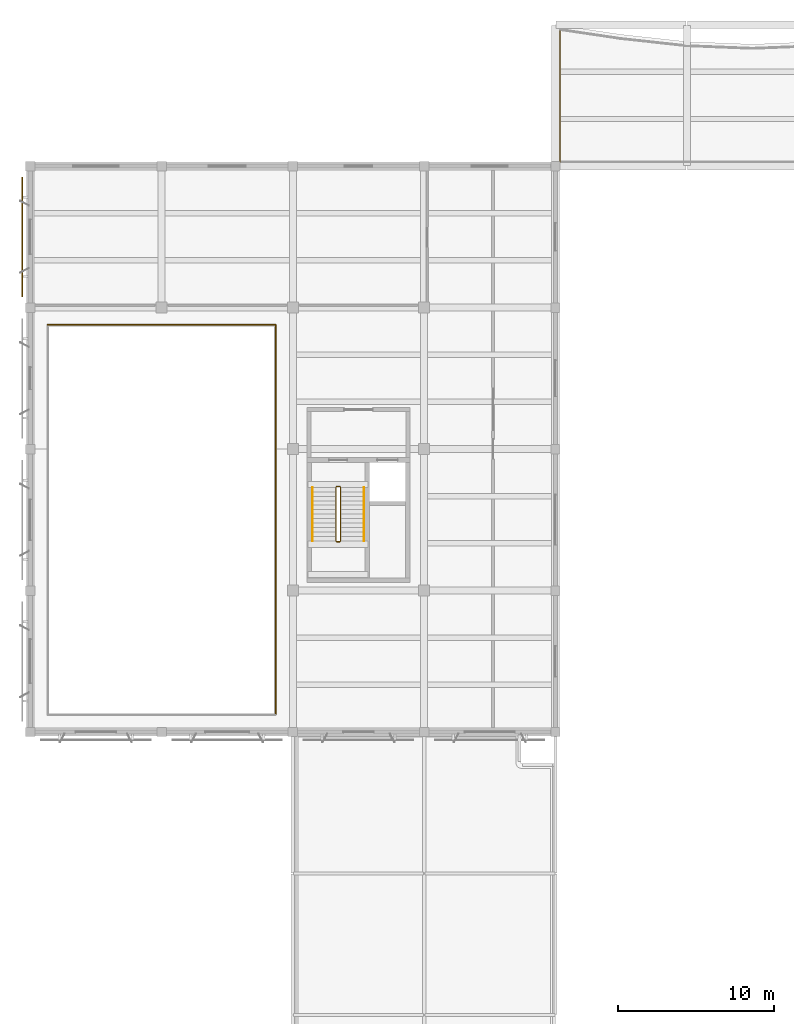
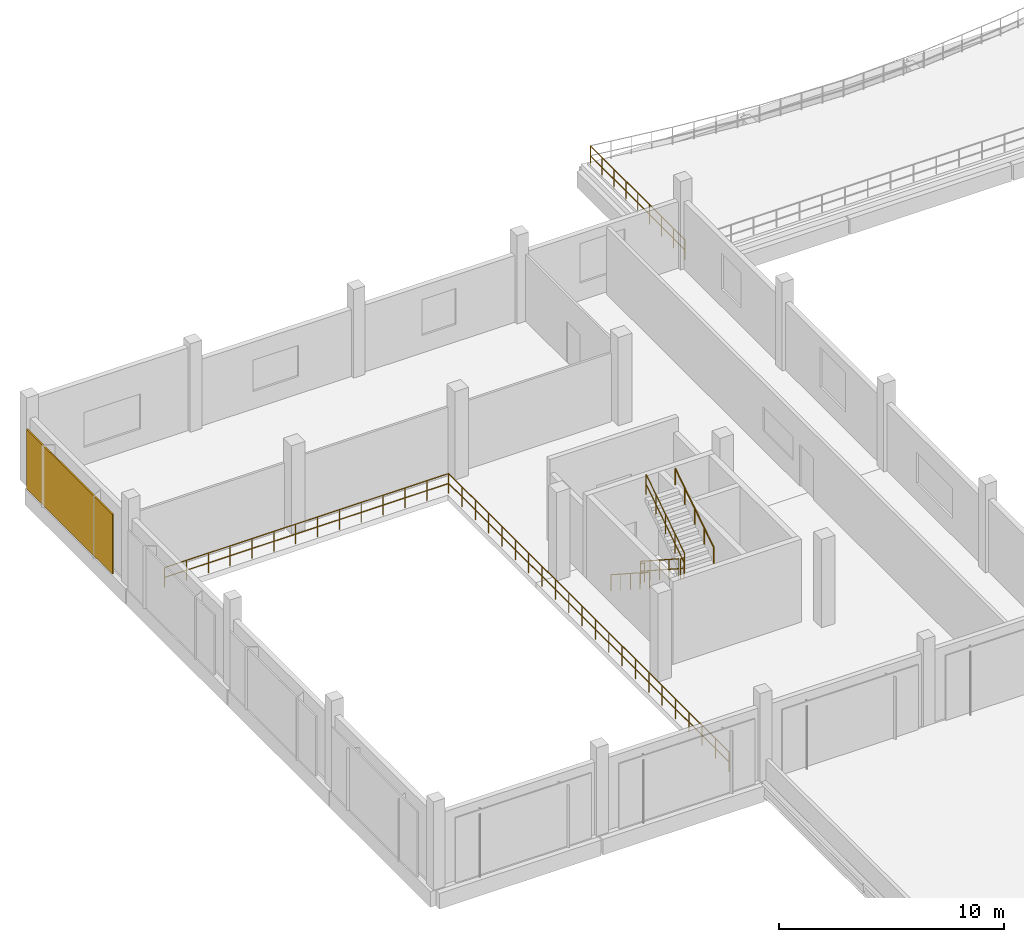
# One storey, part 75 of 80: 9 railings, 1 shading device.
"""IFC4 building model written with IfcOpenShell, lengths in metres."""

from ifc_helpers import new_model, si_unit, direction, frame, origin, origin_2d, place, context, subcontext, project, spatial, rectangle, circle, extrude, material, layer, layer_set, type_object, element, save


model = new_model("IFC4")

# Units and contexts
model_context = context("Model", 3, precision=1e-05, world=origin(), true_north=direction((0.0, 1.0)))
body_context = subcontext(model_context, "Body", "Model", "MODEL_VIEW")
ifc_project = project(units=[si_unit("LENGTHUNIT", "METRE"), si_unit("AREAUNIT", "SQUARE_METRE"), si_unit("VOLUMEUNIT", "CUBIC_METRE"), si_unit("PLANEANGLEUNIT", "RADIAN"), si_unit("MASSUNIT", "GRAM", prefix="KILO")], contexts=[model_context])

# Site, building, storey
site_placement = place(None, origin())
site = spatial("IfcSite", under=ifc_project, at=site_placement, CompositionType="ELEMENT")
building_placement = place(site_placement, origin())
building = spatial("IfcBuilding", under=site, at=building_placement, Name="Khurvash Pelagic Aquarium", CompositionType="ELEMENT")
storey_placement = place(building_placement, frame((0.0, 0.0, 10.800048828125)))
storey = spatial("IfcBuildingStorey", under=building, at=storey_placement, Name="L02", CompositionType="ELEMENT", Elevation=10.800048828125)

# Railings
ifc_material_1 = material(Name="Laminated glass and stainless steel 316", Category="steel")
railing_type_1 = type_object("IfcRailingType", Name="BL-01", PredefinedType="BALUSTRADE", material=ifc_material_1)
railing_1_placement = place(storey_placement, frame((33.8798828125, 93.3798828125, 0.0)))
element("IfcRailing", 1, at=railing_1_placement, inside=storey, type_object=railing_type_1, Name="L02 Planted Terrace Perimeter Balustrade BL-01 0028", PredefinedType="BALUSTRADE", context=body_context, shape_type="SweptSolid", body=[
    extrude(circle(Radius=0.02392578125, at=origin_2d()), frame((0.0, 0.0, 1.076171875), z_axis=(0.0, 1.0, 0.0), x_axis=(-1.0, 0.0, 0.0)), (0.0, 0.0, 1.0), 8.445068359375),
    extrude(circle(Radius=0.02392578125, at=origin_2d()), frame((0.0, 0.0, 0.5380859375), z_axis=(0.0, 1.0, 0.0), x_axis=(-1.0, 0.0, 0.0)), (0.0, 0.0, 1.0), 8.445068359375),
    extrude(circle(Radius=0.02099609375, at=origin_2d()), origin(), (0.0, 0.0, 1.0), 1.052001953125),
    extrude(circle(Radius=0.02099609375, at=origin_2d()), frame((0.0, 1.0556640625, 0.0)), (0.0, 0.0, 1.0), 1.052001953125),
    extrude(circle(Radius=0.02099609375, at=origin_2d()), frame((0.0, 2.111328125, 0.0)), (0.0, 0.0, 1.0), 1.052001953125),
    extrude(circle(Radius=0.02099609375, at=origin_2d()), frame((0.0, 3.1669921875, 0.0)), (0.0, 0.0, 1.0), 1.052001953125),
    extrude(circle(Radius=0.02099609375, at=origin_2d()), frame((0.0, 4.22265625, 0.0)), (0.0, 0.0, 1.0), 1.052001953125),
    extrude(circle(Radius=0.02099609375, at=origin_2d()), frame((0.0, 5.278076171875, 0.0)), (0.0, 0.0, 1.0), 1.052001953125),
    extrude(circle(Radius=0.02099609375, at=origin_2d()), frame((0.0, 6.333740234375, 0.0)), (0.0, 0.0, 1.0), 1.052001953125),
    extrude(circle(Radius=0.02099609375, at=origin_2d()), frame((0.0, 7.389404296875, 0.0)), (0.0, 0.0, 1.0), 1.052001953125),
    extrude(circle(Radius=0.02099609375, at=origin_2d()), frame((0.0, 8.445068359375, 0.0)), (0.0, 0.0, 1.0), 1.052001953125),
])
ifc_material_2 = material(Name="Powder-coated galvanised steel S355J2", Category="steel")
railing_type_2 = type_object("IfcRailingType", Name="GR-01", PredefinedType="GUARDRAIL", material=ifc_material_2)
railing_2_placement = place(storey_placement, frame((19.550048828125, 72.550048828125, 0.1845703125)))
element("IfcRailing", 2, at=railing_2_placement, inside=storey, type_object=railing_type_2, Name="L02 ST-05 stair guard 1", PredefinedType="GUARDRAIL", context=body_context, shape_type="SweptSolid", body=[
    extrude(circle(Radius=0.02392578125, at=origin_2d()), frame((0.0, 0.0, 1.076171875), z_axis=(0.0, -0.839314486199, 0.543646202282), x_axis=(1.0, 0.0, 0.0)), (0.0, 0.0, 1.0), 4.074951171875),
    extrude(circle(Radius=0.02392578125, at=origin_2d()), frame((0.0, 0.0, 0.5380859375), z_axis=(0.0, -0.839314486199, 0.543646202282), x_axis=(1.0, 0.0, 0.0)), (0.0, 0.0, 1.0), 4.074951171875),
    extrude(circle(Radius=0.02099609375, at=origin_2d()), origin(), (0.0, 0.0, 1.0), 1.052001953125),
    extrude(circle(Radius=0.02099609375, at=origin_2d()), frame((0.0, -0.85498046875, 0.5537109375)), (0.0, 0.0, 1.0), 1.052001953125),
    extrude(circle(Radius=0.02099609375, at=origin_2d()), frame((0.0, -1.7099609375, 1.107666015625)), (0.0, 0.0, 1.0), 1.052001953125),
    extrude(circle(Radius=0.02099609375, at=origin_2d()), frame((0.0, -2.565185546875, 1.66162109375)), (0.0, 0.0, 1.0), 1.052001953125),
    extrude(circle(Radius=0.02099609375, at=origin_2d()), frame((0.0, -3.420166015625, 2.21533203125)), (0.0, 0.0, 1.0), 1.052001953125),
])
railing_3_placement = place(storey_placement, frame((19.60009765625, 69.080078125, 2.39990234375)))
element("IfcRailing", 3, at=railing_3_placement, inside=storey, type_object=railing_type_2, Name="L02 ST-05 stair guard 2", PredefinedType="GUARDRAIL", context=body_context, shape_type="SweptSolid", body=[
    extrude(circle(Radius=0.02392578125, at=origin_2d()), frame((0.0, 0.0, 1.076171875), z_axis=(1.0, 0.0, 0.0), x_axis=(0.0, 1.0, 0.0)), (0.0, 0.0, 1.0), 0.199951171875),
    extrude(circle(Radius=0.02392578125, at=origin_2d()), frame((0.0, 0.0, 0.5380859375), z_axis=(1.0, 0.0, 0.0), x_axis=(0.0, 1.0, 0.0)), (0.0, 0.0, 1.0), 0.199951171875),
    extrude(circle(Radius=0.02099609375, at=origin_2d()), origin(), (0.0, 0.0, 1.0), 1.052001953125),
    extrude(circle(Radius=0.02099609375, at=origin_2d()), frame((0.199951171875, 0.0, 0.0)), (0.0, 0.0, 1.0), 1.052001953125),
])
railing_4_placement = place(storey_placement, frame((19.85009765625, 69.1298828125, 2.58447265625)))
element("IfcRailing", 4, at=railing_4_placement, inside=storey, type_object=railing_type_2, Name="L02 ST-05 stair guard 3", PredefinedType="GUARDRAIL", context=body_context, shape_type="SweptSolid", body=[
    extrude(circle(Radius=0.02392578125, at=origin_2d()), frame((0.0, 0.0, 1.076171875), z_axis=(0.0, 0.839287148537, 0.543688405523), x_axis=(-1.0, 0.0, 0.0)), (0.0, 0.0, 1.0), 4.0751953125),
    extrude(circle(Radius=0.02392578125, at=origin_2d()), frame((0.0, 0.0, 0.5380859375), z_axis=(0.0, 0.839287148537, 0.543688405523), x_axis=(-1.0, 0.0, 0.0)), (0.0, 0.0, 1.0), 4.0751953125),
    extrude(circle(Radius=0.02099609375, at=origin_2d()), origin(), (0.0, 0.0, 1.0), 1.052001953125),
    extrude(circle(Radius=0.02099609375, at=origin_2d()), frame((0.0, 0.85498046875, 0.553955078125)), (0.0, 0.0, 1.0), 1.052001953125),
    extrude(circle(Radius=0.02099609375, at=origin_2d()), frame((0.0, 1.7099609375, 1.10791015625)), (0.0, 0.0, 1.0), 1.052001953125),
    extrude(circle(Radius=0.02099609375, at=origin_2d()), frame((0.0, 2.565185546875, 1.66162109375)), (0.0, 0.0, 1.0), 1.052001953125),
    extrude(circle(Radius=0.02099609375, at=origin_2d()), frame((0.0, 3.420166015625, 2.215576171875)), (0.0, 0.0, 1.0), 1.052001953125),
])
railing_5_placement = place(storey_placement, frame((19.60009765625, 72.60009765625, 0.0)))
element("IfcRailing", 5, at=railing_5_placement, inside=storey, type_object=railing_type_2, Name="L02 ST-05 stair guard 4", PredefinedType="GUARDRAIL", context=body_context, shape_type="SweptSolid", body=[
    extrude(circle(Radius=0.02392578125, at=origin_2d()), frame((0.0, 0.0, 1.076171875), z_axis=(1.0, 0.0, 0.0), x_axis=(0.0, 1.0, 0.0)), (0.0, 0.0, 1.0), 0.199951171875),
    extrude(circle(Radius=0.02392578125, at=origin_2d()), frame((0.0, 0.0, 0.5380859375), z_axis=(1.0, 0.0, 0.0), x_axis=(0.0, 1.0, 0.0)), (0.0, 0.0, 1.0), 0.199951171875),
    extrude(circle(Radius=0.02099609375, at=origin_2d()), origin(), (0.0, 0.0, 1.0), 1.052001953125),
    extrude(circle(Radius=0.02099609375, at=origin_2d()), frame((0.199951171875, 0.0, 0.0)), (0.0, 0.0, 1.0), 1.052001953125),
])
railing_6_placement = place(storey_placement, frame((15.699951171875, 58.0, 0.0)))
element("IfcRailing", 6, at=railing_6_placement, inside=storey, type_object=railing_type_2, Name="L02 VOID_AUD_L02 Mezzanine Edge Guardrail GR-01", PredefinedType="GUARDRAIL", context=body_context, shape_type="SweptSolid", body=[
    extrude(circle(Radius=0.02392578125, at=origin_2d()), frame((0.0, 0.0, 1.076171875), z_axis=(0.0, 1.0, 0.0), x_axis=(-1.0, 0.0, 0.0)), (0.0, 0.0, 1.0), 24.949951171875),
    extrude(circle(Radius=0.02392578125, at=origin_2d()), frame((0.0, 0.0, 0.5380859375), z_axis=(0.0, 1.0, 0.0), x_axis=(-1.0, 0.0, 0.0)), (0.0, 0.0, 1.0), 24.949951171875),
    extrude(circle(Radius=0.02099609375, at=origin_2d()), origin(), (0.0, 0.0, 1.0), 1.052001953125),
    extrude(circle(Radius=0.02099609375, at=origin_2d()), frame((0.0, 1.18798828125, 0.0)), (0.0, 0.0, 1.0), 1.052001953125),
    extrude(circle(Radius=0.02099609375, at=origin_2d()), frame((0.0, 2.376220703125, 0.0)), (0.0, 0.0, 1.0), 1.052001953125),
    extrude(circle(Radius=0.02099609375, at=origin_2d()), frame((0.0, 3.564208984375, 0.0)), (0.0, 0.0, 1.0), 1.052001953125),
    extrude(circle(Radius=0.02099609375, at=origin_2d()), frame((0.0, 4.75244140625, 0.0)), (0.0, 0.0, 1.0), 1.052001953125),
    extrude(circle(Radius=0.02099609375, at=origin_2d()), frame((0.0, 5.9404296875, 0.0)), (0.0, 0.0, 1.0), 1.052001953125),
    extrude(circle(Radius=0.02099609375, at=origin_2d()), frame((0.0, 7.128662109375, 0.0)), (0.0, 0.0, 1.0), 1.052001953125),
    extrude(circle(Radius=0.02099609375, at=origin_2d()), frame((0.0, 8.316650390625, 0.0)), (0.0, 0.0, 1.0), 1.052001953125),
    extrude(circle(Radius=0.02099609375, at=origin_2d()), frame((0.0, 9.504638671875, 0.0)), (0.0, 0.0, 1.0), 1.052001953125),
    extrude(circle(Radius=0.02099609375, at=origin_2d()), frame((0.0, 10.69287109375, 0.0)), (0.0, 0.0, 1.0), 1.052001953125),
    extrude(circle(Radius=0.02099609375, at=origin_2d()), frame((0.0, 11.880859375, 0.0)), (0.0, 0.0, 1.0), 1.052001953125),
    extrude(circle(Radius=0.02099609375, at=origin_2d()), frame((0.0, 13.069091796875, 0.0)), (0.0, 0.0, 1.0), 1.052001953125),
    extrude(circle(Radius=0.02099609375, at=origin_2d()), frame((0.0, 14.257080078125, 0.0)), (0.0, 0.0, 1.0), 1.052001953125),
    extrude(circle(Radius=0.02099609375, at=origin_2d()), frame((0.0, 15.4453125, 0.0)), (0.0, 0.0, 1.0), 1.052001953125),
    extrude(circle(Radius=0.02099609375, at=origin_2d()), frame((0.0, 16.63330078125, 0.0)), (0.0, 0.0, 1.0), 1.052001953125),
    extrude(circle(Radius=0.02099609375, at=origin_2d()), frame((0.0, 17.8212890625, 0.0)), (0.0, 0.0, 1.0), 1.052001953125),
    extrude(circle(Radius=0.02099609375, at=origin_2d()), frame((0.0, 19.009521484375, 0.0)), (0.0, 0.0, 1.0), 1.052001953125),
    extrude(circle(Radius=0.02099609375, at=origin_2d()), frame((0.0, 20.197509765625, 0.0)), (0.0, 0.0, 1.0), 1.052001953125),
    extrude(circle(Radius=0.02099609375, at=origin_2d()), frame((0.0, 21.3857421875, 0.0)), (0.0, 0.0, 1.0), 1.052001953125),
    extrude(circle(Radius=0.02099609375, at=origin_2d()), frame((0.0, 22.57373046875, 0.0)), (0.0, 0.0, 1.0), 1.052001953125),
    extrude(circle(Radius=0.02099609375, at=origin_2d()), frame((0.0, 23.761962890625, 0.0)), (0.0, 0.0, 1.0), 1.052001953125),
    extrude(circle(Radius=0.02099609375, at=origin_2d()), frame((0.0, 24.949951171875, 0.0)), (0.0, 0.0, 1.0), 1.052001953125),
])
railing_7_placement = place(storey_placement, frame((15.699951171875, 82.949951171875, 0.0)))
element("IfcRailing", 7, at=railing_7_placement, inside=storey, type_object=railing_type_2, Name="L02 VOID_AUD_L02 Mezzanine Edge Guardrail GR-01", PredefinedType="GUARDRAIL", context=body_context, shape_type="SweptSolid", body=[
    extrude(circle(Radius=0.02392578125, at=origin_2d()), frame((0.0, 0.0, 1.076171875), z_axis=(-1.0, 0.0, 0.0), x_axis=(0.0, -1.0, 0.0)), (0.0, 0.0, 1.0), 14.599853515625),
    extrude(circle(Radius=0.02392578125, at=origin_2d()), frame((0.0, 0.0, 0.5380859375), z_axis=(-1.0, 0.0, 0.0), x_axis=(0.0, -1.0, 0.0)), (0.0, 0.0, 1.0), 14.599853515625),
    extrude(circle(Radius=0.02099609375, at=origin_2d()), origin(), (0.0, 0.0, 1.0), 1.052001953125),
    extrude(circle(Radius=0.02099609375, at=origin_2d()), frame((-1.123046875, 0.0, 0.0)), (0.0, 0.0, 1.0), 1.052001953125),
    extrude(circle(Radius=0.02099609375, at=origin_2d()), frame((-2.24609375, 0.0, 0.0)), (0.0, 0.0, 1.0), 1.052001953125),
    extrude(circle(Radius=0.02099609375, at=origin_2d()), frame((-3.369140625, 0.0, 0.0)), (0.0, 0.0, 1.0), 1.052001953125),
    extrude(circle(Radius=0.02099609375, at=origin_2d()), frame((-4.4921875, 0.0, 0.0)), (0.0, 0.0, 1.0), 1.052001953125),
    extrude(circle(Radius=0.02099609375, at=origin_2d()), frame((-5.615234375, 0.0, 0.0)), (0.0, 0.0, 1.0), 1.052001953125),
    extrude(circle(Radius=0.02099609375, at=origin_2d()), frame((-6.73828125, 0.0, 0.0)), (0.0, 0.0, 1.0), 1.052001953125),
    extrude(circle(Radius=0.02099609375, at=origin_2d()), frame((-7.861572265625, 0.0, 0.0)), (0.0, 0.0, 1.0), 1.052001953125),
    extrude(circle(Radius=0.02099609375, at=origin_2d()), frame((-8.984619140625, 0.0, 0.0)), (0.0, 0.0, 1.0), 1.052001953125),
    extrude(circle(Radius=0.02099609375, at=origin_2d()), frame((-10.107666015625, 0.0, 0.0)), (0.0, 0.0, 1.0), 1.052001953125),
    extrude(circle(Radius=0.02099609375, at=origin_2d()), frame((-11.230712890625, 0.0, 0.0)), (0.0, 0.0, 1.0), 1.052001953125),
    extrude(circle(Radius=0.02099609375, at=origin_2d()), frame((-12.353759765625, 0.0, 0.0)), (0.0, 0.0, 1.0), 1.052001953125),
    extrude(circle(Radius=0.02099609375, at=origin_2d()), frame((-13.476806640625, 0.0, 0.0)), (0.0, 0.0, 1.0), 1.052001953125),
    extrude(circle(Radius=0.02099609375, at=origin_2d()), frame((-14.599853515625, 0.0, 0.0)), (0.0, 0.0, 1.0), 1.052001953125),
])
ifc_material_3 = material(Name="Brushed stainless steel 316", Category="steel")
railing_type_3 = type_object("IfcRailingType", Name="HR-01", PredefinedType="HANDRAIL", material=ifc_material_3)
railing_8_placement = place(storey_placement, frame((18.050048828125, 72.550048828125, 0.1845703125)))
element("IfcRailing", 8, at=railing_8_placement, inside=storey, type_object=railing_type_3, Name="L02 ST-05 stair handrail 1", PredefinedType="HANDRAIL", context=body_context, shape_type="SweptSolid", body=[
    extrude(circle(Radius=0.02392578125, at=origin_2d()), frame((0.0, 0.0, 0.8759765625), z_axis=(0.0, -0.839314486199, 0.543646202282), x_axis=(1.0, 0.0, 0.0)), (0.0, 0.0, 1.0), 4.074951171875),
    extrude(circle(Radius=0.02099609375, at=origin_2d()), origin(), (0.0, 0.0, 1.0), 0.851806640625),
    extrude(circle(Radius=0.02099609375, at=origin_2d()), frame((0.0, -0.85498046875, 0.5537109375)), (0.0, 0.0, 1.0), 0.851806640625),
    extrude(circle(Radius=0.02099609375, at=origin_2d()), frame((0.0, -1.7099609375, 1.107666015625)), (0.0, 0.0, 1.0), 0.851806640625),
    extrude(circle(Radius=0.02099609375, at=origin_2d()), frame((0.0, -2.565185546875, 1.66162109375)), (0.0, 0.0, 1.0), 0.851806640625),
    extrude(circle(Radius=0.02099609375, at=origin_2d()), frame((0.0, -3.420166015625, 2.21533203125)), (0.0, 0.0, 1.0), 0.851806640625),
])
railing_9_placement = place(storey_placement, frame((21.35009765625, 69.1298828125, 2.58447265625)))
element("IfcRailing", 9, at=railing_9_placement, inside=storey, type_object=railing_type_3, Name="L02 ST-05 stair handrail 2", PredefinedType="HANDRAIL", context=body_context, shape_type="SweptSolid", body=[
    extrude(circle(Radius=0.02392578125, at=origin_2d()), frame((0.0, 0.0, 0.8759765625), z_axis=(0.0, 0.839287148537, 0.543688405523), x_axis=(-1.0, 0.0, 0.0)), (0.0, 0.0, 1.0), 4.0751953125),
    extrude(circle(Radius=0.02099609375, at=origin_2d()), origin(), (0.0, 0.0, 1.0), 0.851806640625),
    extrude(circle(Radius=0.02099609375, at=origin_2d()), frame((0.0, 0.85498046875, 0.553955078125)), (0.0, 0.0, 1.0), 0.851806640625),
    extrude(circle(Radius=0.02099609375, at=origin_2d()), frame((0.0, 1.7099609375, 1.10791015625)), (0.0, 0.0, 1.0), 0.851806640625),
    extrude(circle(Radius=0.02099609375, at=origin_2d()), frame((0.0, 2.565185546875, 1.66162109375)), (0.0, 0.0, 1.0), 0.851806640625),
    extrude(circle(Radius=0.02099609375, at=origin_2d()), frame((0.0, 3.420166015625, 2.215576171875)), (0.0, 0.0, 1.0), 0.851806640625),
])

# Shading device
ifc_material_4 = material(Name="Extruded anodised aluminium fin", Category="aluminium")
ifc_layer = layer(ifc_material_4, 0.074951171875)
ifc_layer_set = layer_set([ifc_layer], Name="Extruded anodised aluminium fin")
shading_device_type = type_object("IfcShadingDeviceType", Name="SH-FIN", PredefinedType="USERDEFINED", material=ifc_layer_set)
shading_device_placement = place(storey_placement, frame((-0.510009765625, 88.574951171875, 0.199951171875), z_axis=(0.0, 0.0, 1.0), x_axis=(0.0, -1.0, 0.0)))
element("IfcShadingDevice", 10, at=shading_device_placement, inside=storey, type_object=shading_device_type, Name="L02 Perforated Aluminium Jali Screen SH-FIN 0025", ObjectType="SOLAR FIN", PredefinedType="USERDEFINED", context=body_context, shape_type="SweptSolid", body=[
    extrude(rectangle(XDim=7.639892578125, YDim=0.074951171875, at=origin_2d()), origin(), (0.0, 0.0, 1.0), 3.25),
])

save(model, "model.ifc")
